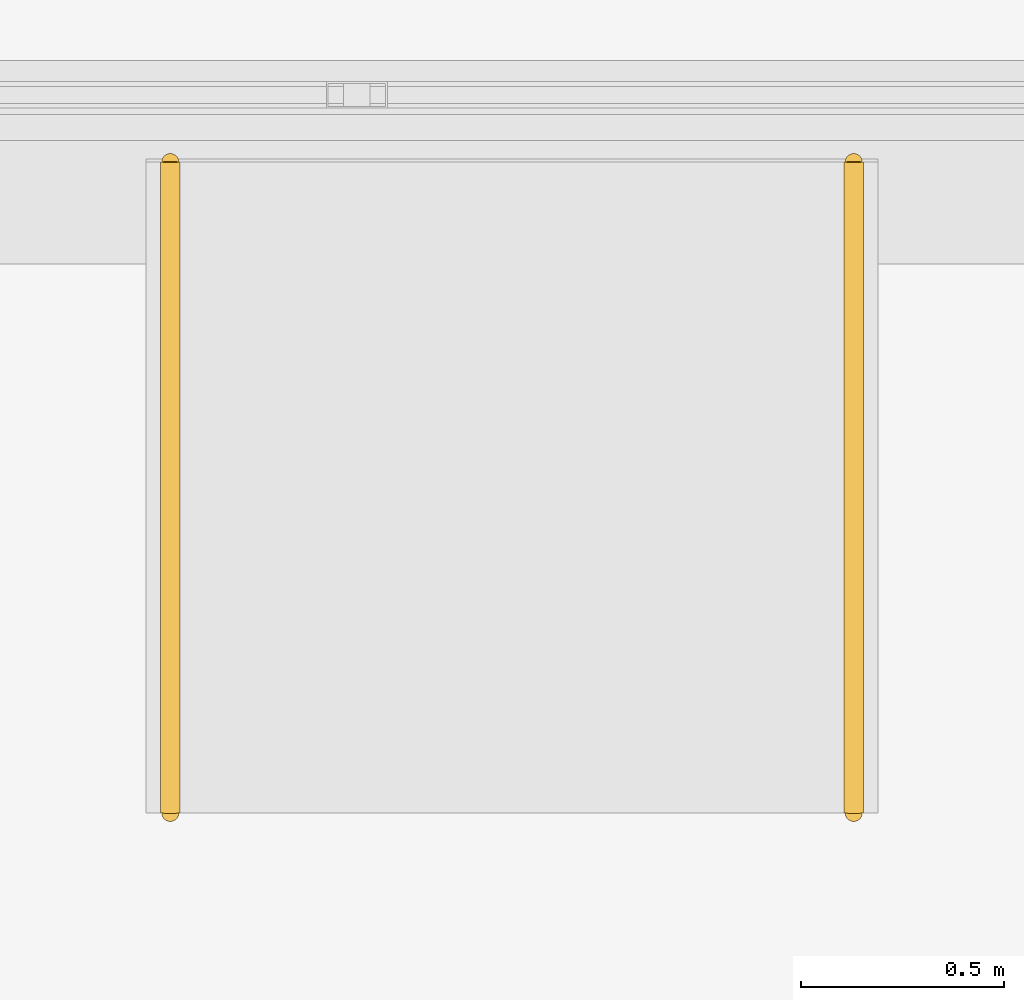
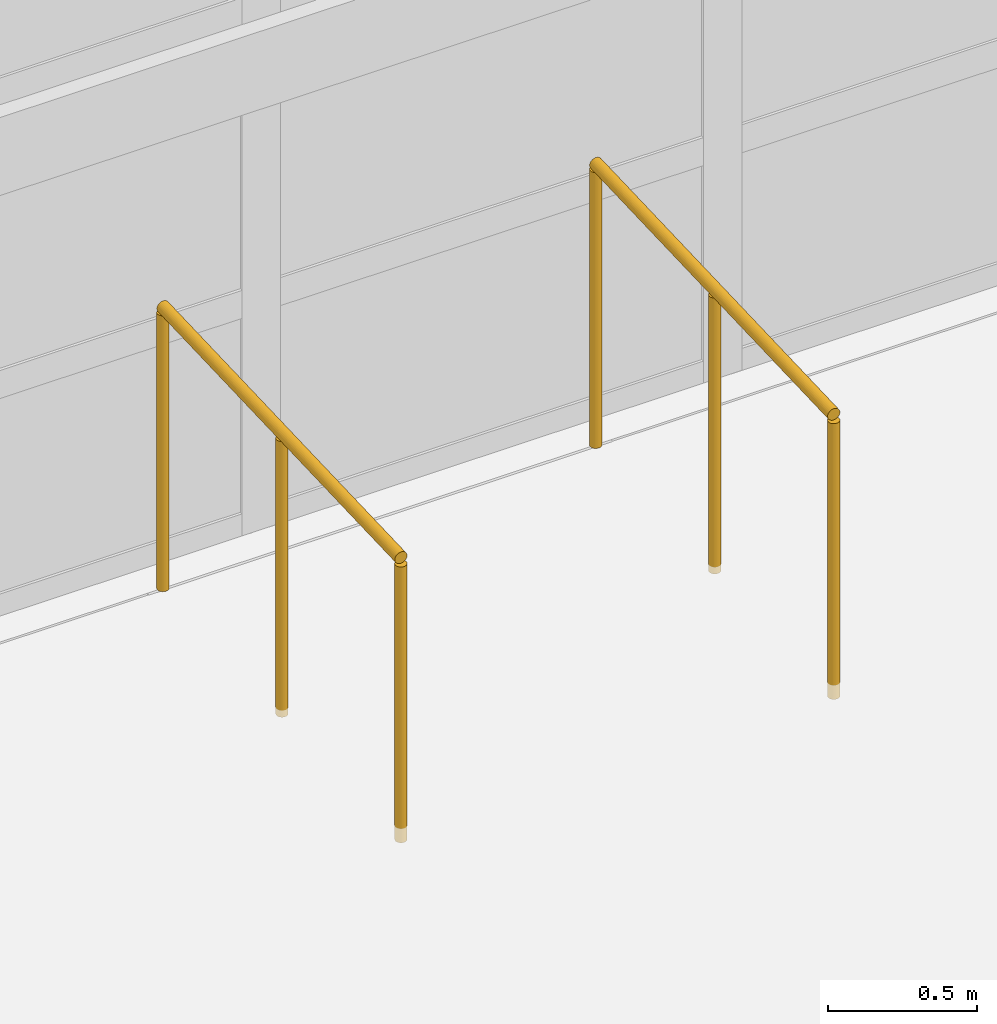
# One storey, part 139 of 148: 2 railings.
"""IFC4 building model written with IfcOpenShell, lengths in metres."""

from ifc_helpers import new_model, si_unit, direction, frame, origin, origin_2d, place, context, subcontext, project, spatial, circle, extrude, material, type_object, element, save


model = new_model("IFC4")

# Units and contexts
model_context = context("Model", 3, precision=1e-05, world=origin(), true_north=direction((0.0, 1.0)))
body_context = subcontext(model_context, "Body", "Model", "MODEL_VIEW")
ifc_project = project(units=[si_unit("LENGTHUNIT", "METRE"), si_unit("AREAUNIT", "SQUARE_METRE"), si_unit("VOLUMEUNIT", "CUBIC_METRE"), si_unit("PLANEANGLEUNIT", "RADIAN"), si_unit("MASSUNIT", "GRAM", prefix="KILO")], contexts=[model_context])

# Site, building, storey
site_placement = place(None, origin())
site = spatial("IfcSite", under=ifc_project, at=site_placement, CompositionType="ELEMENT")
building_placement = place(site_placement, origin())
building = spatial("IfcBuilding", under=site, at=building_placement, Name="Quendrovan Civic Courthouse", CompositionType="ELEMENT")
storey_placement = place(building_placement, origin())
storey = spatial("IfcBuildingStorey", under=building, at=storey_placement, Name="L01", CompositionType="ELEMENT", Elevation=0.0)

# Railings
ifc_material = material(Name="Bronze anodised aluminium", Category="aluminium")
railing_type = type_object("IfcRailingType", Name="RL-EXT-GUARD1100", PredefinedType="GUARDRAIL", material=ifc_material)
for number, where, name in (
    (1, (54.06005859375, 63.199951171875, -0.06005859375), "Accessible Ramp RP6 Guardrail L"),
    (2, (55.739990234375, 63.199951171875, -0.06005859375), "Accessible Ramp RP6 Guardrail R"),
):
    element("IfcRailing", number, at=place(storey_placement, frame(where)), inside=storey, type_object=railing_type, Name=name, PredefinedType="GUARDRAIL", context=body_context, shape_type="SweptSolid", body=[
        extrude(circle(Radius=0.02392578125, at=origin_2d()), frame((0.0, 0.0, 1.15576171875), z_axis=(0.0, 0.999296330453, 0.037507918415), x_axis=(-1.0, 0.0, 0.0)), (0.0, 0.0, 1.0), 1.601318359375),
        extrude(circle(Radius=0.02099609375, at=origin_2d()), origin(), (0.0, 0.0, 1.0), 1.1318359375),
        extrude(circle(Radius=0.02099609375, at=origin_2d()), frame((0.0, 0.800048828125, 0.030029296875)), (0.0, 0.0, 1.0), 1.1318359375),
        extrude(circle(Radius=0.02099609375, at=origin_2d()), frame((0.0, 1.60009765625, 0.06005859375)), (0.0, 0.0, 1.0), 1.1318359375),
    ])

save(model, "model.ifc")
